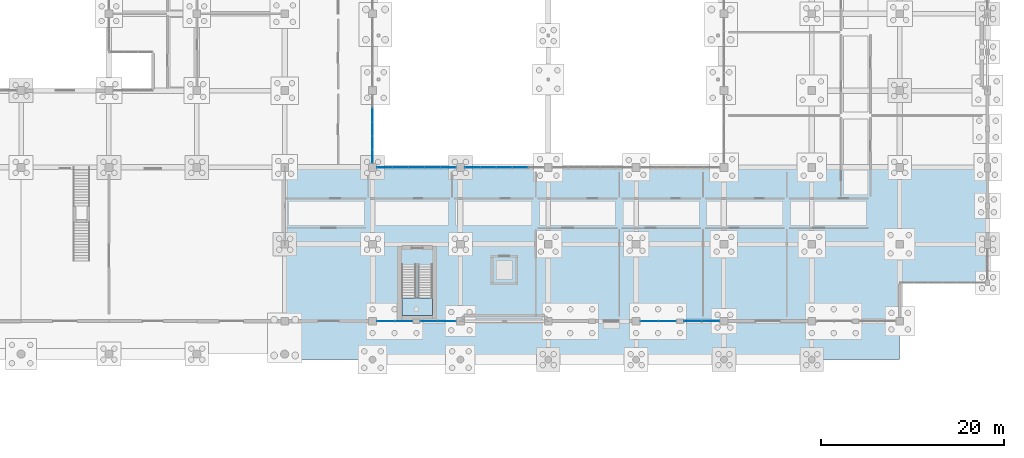
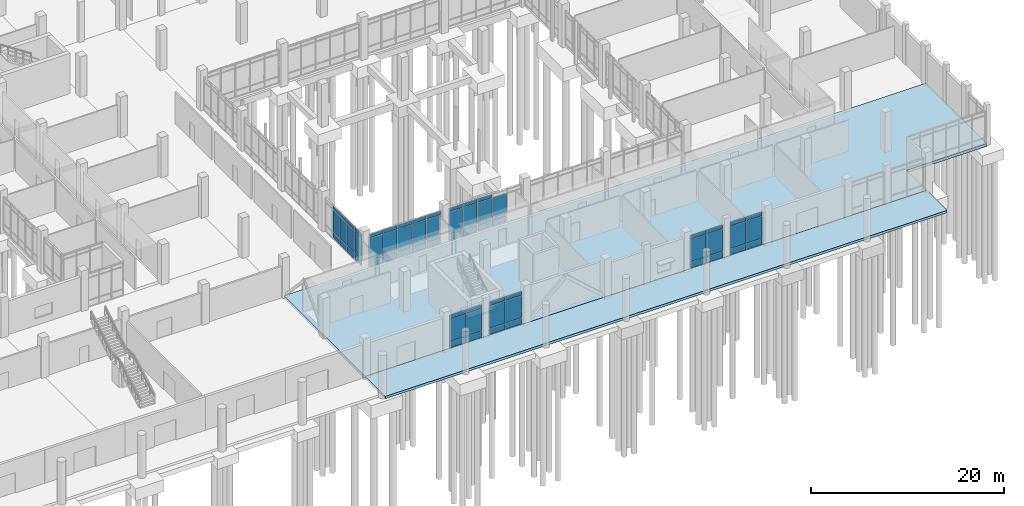
# One storey, part 82 of 136: 62 plates, 3 slabs, 8 elements without a shape of their own.
"""IFC4 building model written with IfcOpenShell, lengths in metres."""

from ifc_helpers import new_model, si_unit, direction, frame, origin, origin_2d, place, context, subcontext, project, spatial, polyline, rectangle, outline, extrude, material, layer, layer_set, type_object, element, aggregate, save


model = new_model("IFC4")

# Units and contexts
model_context = context("Model", 3, precision=1e-05, world=origin(), true_north=direction((0.0, 1.0)))
body_context = subcontext(model_context, "Body", "Model", "MODEL_VIEW")
ifc_project = project(units=[si_unit("LENGTHUNIT", "METRE"), si_unit("AREAUNIT", "SQUARE_METRE"), si_unit("VOLUMEUNIT", "CUBIC_METRE"), si_unit("PLANEANGLEUNIT", "RADIAN"), si_unit("MASSUNIT", "GRAM", prefix="KILO")], contexts=[model_context])

# Site, building, storey
site_placement = place(None, origin())
site = spatial("IfcSite", under=ifc_project, at=site_placement, CompositionType="ELEMENT")
building_placement = place(site_placement, origin())
building = spatial("IfcBuilding", under=site, at=building_placement, Name="Oolite Switchyard Hospital", CompositionType="ELEMENT")
storey_placement = place(building_placement, origin())
storey = spatial("IfcBuildingStorey", under=building, at=storey_placement, Name="L00", CompositionType="ELEMENT", Elevation=0.0)

# Curtain wall, plates
ifc_material_1 = material(Name="Thermally broken aluminum frame with laminated impact glazing", Category="aluminium")
curtain_wall_type_1 = type_object("IfcCurtainWallType", Name="CW-UNIT-96X51", PredefinedType="USERDEFINED", material=ifc_material_1)
curtain_wall_1_placement = place(storey_placement, origin())
curtain_wall_1 = element("IfcCurtainWall", 1, at=curtain_wall_1_placement, inside=storey, type_object=curtain_wall_type_1, Name="L00 Unitised Curtain Wall 11", ObjectType="UNITISED", PredefinedType="USERDEFINED")
ifc_material_2 = material(Name="Insulated fluoropolymer-coated aluminum spandrel panel", Category="aluminium")
ifc_layer_1 = layer(ifc_material_2, 0.054931640625)
ifc_layer_set_1 = layer_set([ifc_layer_1], Name="CW-PNL-SPN55")
plate_type_1 = type_object("IfcPlateType", Name="CW-PNL-SPN55", PredefinedType="CURTAIN_PANEL", material=ifc_layer_set_1)
plate_1_placement = place(storey_placement, frame((154.9306640625, 25.199951171875, 0.0751953125), z_axis=(0.0, 0.0, 1.0), x_axis=(1.0, 0.0, 0.0)))
plate_1 = element("IfcPlate", 2, at=plate_1_placement, type_object=plate_type_1, Name="CW-01 panel 1.1", PredefinedType="CURTAIN_PANEL", context=body_context, shape_type="SweptSolid", body=[
    extrude(rectangle(XDim=1.631591796875, YDim=0.054931640625, at=origin_2d()), origin(), (0.0, 0.0, 1.0), 0.737548828125),
])
plate_2_placement = place(storey_placement, frame((154.9306640625, 25.199951171875, 0.8876953125), z_axis=(0.0, 0.0, 1.0), x_axis=(1.0, 0.0, 0.0)))
plate_2 = element("IfcPlate", 3, at=plate_2_placement, type_object=plate_type_1, Name="CW-01 panel 1.2", PredefinedType="CURTAIN_PANEL", context=body_context, shape_type="SweptSolid", body=[
    extrude(rectangle(XDim=1.631591796875, YDim=0.054931640625, at=origin_2d()), origin(), (0.0, 0.0, 1.0), 2.764892578125),
])
plate_3_placement = place(storey_placement, frame((154.9306640625, 25.199951171875, 3.7275390625), z_axis=(0.0, 0.0, 1.0), x_axis=(1.0, 0.0, 0.0)))
plate_3 = element("IfcPlate", 4, at=plate_3_placement, type_object=plate_type_1, Name="CW-01 panel 1.3", PredefinedType="CURTAIN_PANEL", context=body_context, shape_type="SweptSolid", body=[
    extrude(rectangle(XDim=1.631591796875, YDim=0.054931640625, at=origin_2d()), origin(), (0.0, 0.0, 1.0), 0.4375),
])
plate_4_placement = place(storey_placement, frame((156.656005859375, 25.199951171875, 0.0751953125), z_axis=(0.0, 0.0, 1.0), x_axis=(1.0, 0.0, 0.0)))
plate_4 = element("IfcPlate", 5, at=plate_4_placement, type_object=plate_type_1, Name="CW-01 panel 2.1", PredefinedType="CURTAIN_PANEL", context=body_context, shape_type="SweptSolid", body=[
    extrude(rectangle(XDim=1.6689453125, YDim=0.054931640625, at=origin_2d()), origin(), (0.0, 0.0, 1.0), 0.737548828125),
])
plate_5_placement = place(storey_placement, frame((156.656005859375, 25.199951171875, 0.8876953125), z_axis=(0.0, 0.0, 1.0), x_axis=(1.0, 0.0, 0.0)))
plate_5 = element("IfcPlate", 6, at=plate_5_placement, type_object=plate_type_1, Name="CW-01 panel 2.2", PredefinedType="CURTAIN_PANEL", context=body_context, shape_type="SweptSolid", body=[
    extrude(rectangle(XDim=1.6689453125, YDim=0.054931640625, at=origin_2d()), origin(), (0.0, 0.0, 1.0), 2.764892578125),
])
plate_6_placement = place(storey_placement, frame((156.656005859375, 25.199951171875, 3.7275390625), z_axis=(0.0, 0.0, 1.0), x_axis=(1.0, 0.0, 0.0)))
plate_6 = element("IfcPlate", 7, at=plate_6_placement, type_object=plate_type_1, Name="CW-01 panel 2.3", PredefinedType="CURTAIN_PANEL", context=body_context, shape_type="SweptSolid", body=[
    extrude(rectangle(XDim=1.6689453125, YDim=0.054931640625, at=origin_2d()), origin(), (0.0, 0.0, 1.0), 0.4375),
])
plate_7_placement = place(storey_placement, frame((158.39990234375, 25.199951171875, 0.0751953125), z_axis=(0.0, 0.0, 1.0), x_axis=(1.0, 0.0, 0.0)))
plate_7 = element("IfcPlate", 8, at=plate_7_placement, type_object=plate_type_1, Name="CW-01 panel 3.1", PredefinedType="CURTAIN_PANEL", context=body_context, shape_type="SweptSolid", body=[
    extrude(rectangle(XDim=1.6689453125, YDim=0.054931640625, at=origin_2d()), origin(), (0.0, 0.0, 1.0), 0.737548828125),
])
plate_8_placement = place(storey_placement, frame((158.39990234375, 25.199951171875, 0.8876953125), z_axis=(0.0, 0.0, 1.0), x_axis=(1.0, 0.0, 0.0)))
plate_8 = element("IfcPlate", 9, at=plate_8_placement, type_object=plate_type_1, Name="CW-01 panel 3.2", PredefinedType="CURTAIN_PANEL", context=body_context, shape_type="SweptSolid", body=[
    extrude(rectangle(XDim=1.6689453125, YDim=0.054931640625, at=origin_2d()), origin(), (0.0, 0.0, 1.0), 2.764892578125),
])
plate_9_placement = place(storey_placement, frame((158.39990234375, 25.199951171875, 3.7275390625), z_axis=(0.0, 0.0, 1.0), x_axis=(1.0, 0.0, 0.0)))
plate_9 = element("IfcPlate", 10, at=plate_9_placement, type_object=plate_type_1, Name="CW-01 panel 3.3", PredefinedType="CURTAIN_PANEL", context=body_context, shape_type="SweptSolid", body=[
    extrude(rectangle(XDim=1.6689453125, YDim=0.054931640625, at=origin_2d()), origin(), (0.0, 0.0, 1.0), 0.4375),
])
plate_10_placement = place(storey_placement, frame((160.14404296875, 25.199951171875, 0.0751953125), z_axis=(0.0, 0.0, 1.0), x_axis=(1.0, 0.0, 0.0)))
plate_10 = element("IfcPlate", 11, at=plate_10_placement, type_object=plate_type_1, Name="CW-01 panel 4.1", PredefinedType="CURTAIN_PANEL", context=body_context, shape_type="SweptSolid", body=[
    extrude(rectangle(XDim=1.6689453125, YDim=0.054931640625, at=origin_2d()), origin(), (0.0, 0.0, 1.0), 0.737548828125),
])
plate_11_placement = place(storey_placement, frame((160.14404296875, 25.199951171875, 0.8876953125), z_axis=(0.0, 0.0, 1.0), x_axis=(1.0, 0.0, 0.0)))
plate_11 = element("IfcPlate", 12, at=plate_11_placement, type_object=plate_type_1, Name="CW-01 panel 4.2", PredefinedType="CURTAIN_PANEL", context=body_context, shape_type="SweptSolid", body=[
    extrude(rectangle(XDim=1.6689453125, YDim=0.054931640625, at=origin_2d()), origin(), (0.0, 0.0, 1.0), 2.764892578125),
])
aggregate(curtain_wall_1, [plate_1, plate_2, plate_3, plate_4, plate_5, plate_6, plate_7, plate_8, plate_9, plate_10, plate_11])

curtain_wall_type_2 = type_object("IfcCurtainWallType", Name="CW-UNIT-84X51", PredefinedType="USERDEFINED", material=ifc_material_1)
curtain_wall_2_placement = place(storey_placement, origin())
curtain_wall_2 = element("IfcCurtainWall", 13, at=curtain_wall_2_placement, inside=storey, type_object=curtain_wall_type_2, Name="L00 Unitised Curtain Wall 5", ObjectType="UNITISED", PredefinedType="USERDEFINED")
ifc_layer_2 = layer(ifc_material_2, 0.070068359375)
ifc_layer_set_2 = layer_set([ifc_layer_2], Name="CW-PNL-SPN70")
plate_type_2 = type_object("IfcPlateType", Name="CW-PNL-SPN70", PredefinedType="CURTAIN_PANEL", material=ifc_layer_set_2)
plate_12_placement = place(storey_placement, frame((180.94873046875, 8.39990234375, 0.0751953125), z_axis=(0.0, 0.0, 1.0), x_axis=(-1.0, 0.0, 0.0)))
plate_12 = element("IfcPlate", 14, at=plate_12_placement, type_object=plate_type_2, Name="CW-06 panel 1.1", PredefinedType="CURTAIN_PANEL", context=body_context, shape_type="SweptSolid", body=[
    extrude(rectangle(XDim=1.87255859375, YDim=0.070068359375, at=origin_2d()), origin(), (0.0, 0.0, 1.0), 0.737548828125),
])
plate_13_placement = place(storey_placement, frame((180.94873046875, 8.39990234375, 0.8876953125), z_axis=(0.0, 0.0, 1.0), x_axis=(-1.0, 0.0, 0.0)))
plate_13 = element("IfcPlate", 15, at=plate_13_placement, type_object=plate_type_2, Name="CW-06 panel 1.2", PredefinedType="CURTAIN_PANEL", context=body_context, shape_type="SweptSolid", body=[
    extrude(rectangle(XDim=1.87255859375, YDim=0.070068359375, at=origin_2d()), origin(), (0.0, 0.0, 1.0), 2.764892578125),
])
plate_14_placement = place(storey_placement, frame((180.94873046875, 8.39990234375, 3.7275390625), z_axis=(0.0, 0.0, 1.0), x_axis=(-1.0, 0.0, 0.0)))
plate_14 = element("IfcPlate", 16, at=plate_14_placement, type_object=plate_type_2, Name="CW-06 panel 1.3", PredefinedType="CURTAIN_PANEL", context=body_context, shape_type="SweptSolid", body=[
    extrude(rectangle(XDim=1.87255859375, YDim=0.070068359375, at=origin_2d()), origin(), (0.0, 0.0, 1.0), 0.4375),
])
plate_15_placement = place(storey_placement, frame((179.001220703125, 8.39990234375, 0.0751953125), z_axis=(0.0, 0.0, 1.0), x_axis=(-1.0, 0.0, 0.0)))
plate_15 = element("IfcPlate", 17, at=plate_15_placement, type_object=plate_type_2, Name="CW-06 panel 2.1", PredefinedType="CURTAIN_PANEL", context=body_context, shape_type="SweptSolid", body=[
    extrude(rectangle(XDim=1.87255859375, YDim=0.070068359375, at=origin_2d()), origin(), (0.0, 0.0, 1.0), 0.737548828125),
])
plate_16_placement = place(storey_placement, frame((179.001220703125, 8.39990234375, 0.8876953125), z_axis=(0.0, 0.0, 1.0), x_axis=(-1.0, 0.0, 0.0)))
plate_16 = element("IfcPlate", 18, at=plate_16_placement, type_object=plate_type_2, Name="CW-06 panel 2.2", PredefinedType="CURTAIN_PANEL", context=body_context, shape_type="SweptSolid", body=[
    extrude(rectangle(XDim=1.87255859375, YDim=0.070068359375, at=origin_2d()), origin(), (0.0, 0.0, 1.0), 2.764892578125),
])
plate_17_placement = place(storey_placement, frame((179.001220703125, 8.39990234375, 3.7275390625), z_axis=(0.0, 0.0, 1.0), x_axis=(-1.0, 0.0, 0.0)))
plate_17 = element("IfcPlate", 19, at=plate_17_placement, type_object=plate_type_2, Name="CW-06 panel 2.3", PredefinedType="CURTAIN_PANEL", context=body_context, shape_type="SweptSolid", body=[
    extrude(rectangle(XDim=1.87255859375, YDim=0.070068359375, at=origin_2d()), origin(), (0.0, 0.0, 1.0), 0.4375),
])
aggregate(curtain_wall_2, [plate_12, plate_13, plate_14, plate_15, plate_16, plate_17])

curtain_wall_3_placement = place(storey_placement, origin())
curtain_wall_3 = element("IfcCurtainWall", 20, at=curtain_wall_3_placement, inside=storey, type_object=curtain_wall_type_2, Name="L00 Unitised Curtain Wall 3", ObjectType="UNITISED", PredefinedType="USERDEFINED")
ifc_material_3 = material(Name="Laminated hurricane-impact insulated glazing unit", Category="glass")
ifc_layer_3 = layer(ifc_material_3, 0.028076171875)
ifc_layer_set_3 = layer_set([ifc_layer_3], Name="CW-PNL-VIS28")
plate_type_3 = type_object("IfcPlateType", Name="CW-PNL-VIS28", PredefinedType="CURTAIN_PANEL", material=ifc_layer_set_3)
plate_18_placement = place(storey_placement, frame((152.152587890625, 8.39990234375, 0.0751953125), z_axis=(0.0, 0.0, 1.0), x_axis=(-1.0, 0.0, 0.0)))
plate_18 = element("IfcPlate", 21, at=plate_18_placement, type_object=plate_type_3, Name="CW-06 panel 1.1", PredefinedType="CURTAIN_PANEL", context=body_context, shape_type="SweptSolid", body=[
    extrude(rectangle(XDim=1.89501953125, YDim=0.028076171875, at=origin_2d()), origin(), (0.0, 0.0, 1.0), 0.737548828125),
])
plate_19_placement = place(storey_placement, frame((152.152587890625, 8.39990234375, 0.8876953125), z_axis=(0.0, 0.0, 1.0), x_axis=(-1.0, 0.0, 0.0)))
plate_19 = element("IfcPlate", 22, at=plate_19_placement, type_object=plate_type_3, Name="CW-06 panel 1.2", PredefinedType="CURTAIN_PANEL", context=body_context, shape_type="SweptSolid", body=[
    extrude(rectangle(XDim=1.89501953125, YDim=0.028076171875, at=origin_2d()), origin(), (0.0, 0.0, 1.0), 2.764892578125),
])
plate_20_placement = place(storey_placement, frame((152.152587890625, 8.39990234375, 3.7275390625), z_axis=(0.0, 0.0, 1.0), x_axis=(-1.0, 0.0, 0.0)))
plate_20 = element("IfcPlate", 23, at=plate_20_placement, type_object=plate_type_3, Name="CW-06 panel 1.3", PredefinedType="CURTAIN_PANEL", context=body_context, shape_type="SweptSolid", body=[
    extrude(rectangle(XDim=1.89501953125, YDim=0.028076171875, at=origin_2d()), origin(), (0.0, 0.0, 1.0), 0.4375),
])
plate_21_placement = place(storey_placement, frame((150.197509765625, 8.39990234375, 0.0751953125), z_axis=(0.0, 0.0, 1.0), x_axis=(-1.0, 0.0, 0.0)))
plate_21 = element("IfcPlate", 24, at=plate_21_placement, type_object=plate_type_3, Name="CW-06 panel 2.1", PredefinedType="CURTAIN_PANEL", context=body_context, shape_type="SweptSolid", body=[
    extrude(rectangle(XDim=1.89501953125, YDim=0.028076171875, at=origin_2d()), origin(), (0.0, 0.0, 1.0), 0.737548828125),
])
plate_22_placement = place(storey_placement, frame((150.197509765625, 8.39990234375, 0.8876953125), z_axis=(0.0, 0.0, 1.0), x_axis=(-1.0, 0.0, 0.0)))
plate_22 = element("IfcPlate", 25, at=plate_22_placement, type_object=plate_type_3, Name="CW-06 panel 2.2", PredefinedType="CURTAIN_PANEL", context=body_context, shape_type="SweptSolid", body=[
    extrude(rectangle(XDim=1.89501953125, YDim=0.028076171875, at=origin_2d()), origin(), (0.0, 0.0, 1.0), 2.764892578125),
])
plate_23_placement = place(storey_placement, frame((150.197509765625, 8.39990234375, 3.7275390625), z_axis=(0.0, 0.0, 1.0), x_axis=(-1.0, 0.0, 0.0)))
plate_23 = element("IfcPlate", 26, at=plate_23_placement, type_object=plate_type_3, Name="CW-06 panel 2.3", PredefinedType="CURTAIN_PANEL", context=body_context, shape_type="SweptSolid", body=[
    extrude(rectangle(XDim=1.89501953125, YDim=0.028076171875, at=origin_2d()), origin(), (0.0, 0.0, 1.0), 0.4375),
])
aggregate(curtain_wall_3, [plate_18, plate_19, plate_20, plate_21, plate_22, plate_23])

curtain_wall_4_placement = place(storey_placement, origin())
curtain_wall_4 = element("IfcCurtainWall", 27, at=curtain_wall_4_placement, inside=storey, type_object=curtain_wall_type_2, Name="L00 Unitised Curtain Wall 6", ObjectType="UNITISED", PredefinedType="USERDEFINED")
plate_24_placement = place(storey_placement, frame((176.202392578125, 8.39990234375, 0.06005859375), z_axis=(0.0, 0.0, 1.0), x_axis=(-1.0, 0.0, 0.0)))
plate_24 = element("IfcPlate", 28, at=plate_24_placement, type_object=plate_type_3, Name="CW-06 panel 1.1", PredefinedType="CURTAIN_PANEL", context=body_context, shape_type="SweptSolid", body=[
    extrude(rectangle(XDim=1.89501953125, YDim=0.028076171875, at=origin_2d()), origin(), (0.0, 0.0, 1.0), 0.760009765625),
])
plate_25_placement = place(storey_placement, frame((176.202392578125, 8.39990234375, 0.8798828125), z_axis=(0.0, 0.0, 1.0), x_axis=(-1.0, 0.0, 0.0)))
plate_25 = element("IfcPlate", 29, at=plate_25_placement, type_object=plate_type_3, Name="CW-06 panel 1.2", PredefinedType="CURTAIN_PANEL", context=body_context, shape_type="SweptSolid", body=[
    extrude(rectangle(XDim=1.89501953125, YDim=0.028076171875, at=origin_2d()), origin(), (0.0, 0.0, 1.0), 2.780029296875),
])
plate_26_placement = place(storey_placement, frame((176.202392578125, 8.39990234375, 3.719970703125), z_axis=(0.0, 0.0, 1.0), x_axis=(-1.0, 0.0, 0.0)))
plate_26 = element("IfcPlate", 30, at=plate_26_placement, type_object=plate_type_3, Name="CW-06 panel 1.3", PredefinedType="CURTAIN_PANEL", context=body_context, shape_type="SweptSolid", body=[
    extrude(rectangle(XDim=1.89501953125, YDim=0.028076171875, at=origin_2d()), origin(), (0.0, 0.0, 1.0), 0.4599609375),
])
plate_27_placement = place(storey_placement, frame((174.24755859375, 8.39990234375, 0.06005859375), z_axis=(0.0, 0.0, 1.0), x_axis=(-1.0, 0.0, 0.0)))
plate_27 = element("IfcPlate", 31, at=plate_27_placement, type_object=plate_type_3, Name="CW-06 panel 2.1", PredefinedType="CURTAIN_PANEL", context=body_context, shape_type="SweptSolid", body=[
    extrude(rectangle(XDim=1.89501953125, YDim=0.028076171875, at=origin_2d()), origin(), (0.0, 0.0, 1.0), 0.760009765625),
])
plate_28_placement = place(storey_placement, frame((174.24755859375, 8.39990234375, 0.8798828125), z_axis=(0.0, 0.0, 1.0), x_axis=(-1.0, 0.0, 0.0)))
plate_28 = element("IfcPlate", 32, at=plate_28_placement, type_object=plate_type_3, Name="CW-06 panel 2.2", PredefinedType="CURTAIN_PANEL", context=body_context, shape_type="SweptSolid", body=[
    extrude(rectangle(XDim=1.89501953125, YDim=0.028076171875, at=origin_2d()), origin(), (0.0, 0.0, 1.0), 2.780029296875),
])
plate_29_placement = place(storey_placement, frame((174.24755859375, 8.39990234375, 3.719970703125), z_axis=(0.0, 0.0, 1.0), x_axis=(-1.0, 0.0, 0.0)))
plate_29 = element("IfcPlate", 33, at=plate_29_placement, type_object=plate_type_3, Name="CW-06 panel 2.3", PredefinedType="CURTAIN_PANEL", context=body_context, shape_type="SweptSolid", body=[
    extrude(rectangle(XDim=1.89501953125, YDim=0.028076171875, at=origin_2d()), origin(), (0.0, 0.0, 1.0), 0.4599609375),
])
aggregate(curtain_wall_4, [plate_24, plate_25, plate_26, plate_27, plate_28, plate_29])

curtain_wall_5_placement = place(storey_placement, origin())
curtain_wall_5 = element("IfcCurtainWall", 34, at=curtain_wall_5_placement, inside=storey, type_object=curtain_wall_type_2, Name="L00 Unitised Curtain Wall 75", ObjectType="UNITISED", PredefinedType="USERDEFINED")
plate_30_placement = place(storey_placement, frame((144.0, 30.904052734375, 0.0751953125), z_axis=(0.0, 0.0, 1.0), x_axis=(0.0, -1.0, 0.0)))
plate_30 = element("IfcPlate", 35, at=plate_30_placement, type_object=plate_type_3, Name="CW-06 panel 2.1", PredefinedType="CURTAIN_PANEL", context=body_context, shape_type="SweptSolid", body=[
    extrude(rectangle(XDim=1.444091796875, YDim=0.028076171875, at=origin_2d()), origin(), (0.0, 0.0, 1.0), 0.737548828125),
])
plate_31_placement = place(storey_placement, frame((144.0, 30.904052734375, 0.8876953125), z_axis=(0.0, 0.0, 1.0), x_axis=(0.0, -1.0, 0.0)))
plate_31 = element("IfcPlate", 36, at=plate_31_placement, type_object=plate_type_3, Name="CW-06 panel 2.2", PredefinedType="CURTAIN_PANEL", context=body_context, shape_type="SweptSolid", body=[
    extrude(rectangle(XDim=1.444091796875, YDim=0.028076171875, at=origin_2d()), origin(), (0.0, 0.0, 1.0), 2.764892578125),
])
plate_32_placement = place(storey_placement, frame((144.0, 30.904052734375, 3.7275390625), z_axis=(0.0, 0.0, 1.0), x_axis=(0.0, -1.0, 0.0)))
plate_32 = element("IfcPlate", 37, at=plate_32_placement, type_object=plate_type_3, Name="CW-06 panel 2.3", PredefinedType="CURTAIN_PANEL", context=body_context, shape_type="SweptSolid", body=[
    extrude(rectangle(XDim=1.444091796875, YDim=0.028076171875, at=origin_2d()), origin(), (0.0, 0.0, 1.0), 0.4375),
])
plate_33_placement = place(storey_placement, frame((144.0, 29.39990234375, 0.0751953125), z_axis=(0.0, 0.0, 1.0), x_axis=(0.0, -1.0, 0.0)))
plate_33 = element("IfcPlate", 38, at=plate_33_placement, type_object=plate_type_3, Name="CW-06 panel 3.1", PredefinedType="CURTAIN_PANEL", context=body_context, shape_type="SweptSolid", body=[
    extrude(rectangle(XDim=1.444091796875, YDim=0.028076171875, at=origin_2d()), origin(), (0.0, 0.0, 1.0), 0.737548828125),
])
plate_34_placement = place(storey_placement, frame((144.0, 29.39990234375, 0.8876953125), z_axis=(0.0, 0.0, 1.0), x_axis=(0.0, -1.0, 0.0)))
plate_34 = element("IfcPlate", 39, at=plate_34_placement, type_object=plate_type_3, Name="CW-06 panel 3.2", PredefinedType="CURTAIN_PANEL", context=body_context, shape_type="SweptSolid", body=[
    extrude(rectangle(XDim=1.444091796875, YDim=0.028076171875, at=origin_2d()), origin(), (0.0, 0.0, 1.0), 2.764892578125),
])
plate_35_placement = place(storey_placement, frame((144.0, 29.39990234375, 3.7275390625), z_axis=(0.0, 0.0, 1.0), x_axis=(0.0, -1.0, 0.0)))
plate_35 = element("IfcPlate", 40, at=plate_35_placement, type_object=plate_type_3, Name="CW-06 panel 3.3", PredefinedType="CURTAIN_PANEL", context=body_context, shape_type="SweptSolid", body=[
    extrude(rectangle(XDim=1.444091796875, YDim=0.028076171875, at=origin_2d()), origin(), (0.0, 0.0, 1.0), 0.4375),
])
plate_36_placement = place(storey_placement, frame((144.0, 27.89599609375, 0.0751953125), z_axis=(0.0, 0.0, 1.0), x_axis=(0.0, -1.0, 0.0)))
plate_36 = element("IfcPlate", 41, at=plate_36_placement, type_object=plate_type_3, Name="CW-06 panel 4.1", PredefinedType="CURTAIN_PANEL", context=body_context, shape_type="SweptSolid", body=[
    extrude(rectangle(XDim=1.444091796875, YDim=0.028076171875, at=origin_2d()), origin(), (0.0, 0.0, 1.0), 0.737548828125),
])
plate_37_placement = place(storey_placement, frame((144.0, 27.89599609375, 0.8876953125), z_axis=(0.0, 0.0, 1.0), x_axis=(0.0, -1.0, 0.0)))
plate_37 = element("IfcPlate", 42, at=plate_37_placement, type_object=plate_type_3, Name="CW-06 panel 4.2", PredefinedType="CURTAIN_PANEL", context=body_context, shape_type="SweptSolid", body=[
    extrude(rectangle(XDim=1.444091796875, YDim=0.028076171875, at=origin_2d()), origin(), (0.0, 0.0, 1.0), 2.764892578125),
])
plate_38_placement = place(storey_placement, frame((144.0, 27.89599609375, 3.7275390625), z_axis=(0.0, 0.0, 1.0), x_axis=(0.0, -1.0, 0.0)))
plate_38 = element("IfcPlate", 43, at=plate_38_placement, type_object=plate_type_3, Name="CW-06 panel 4.3", PredefinedType="CURTAIN_PANEL", context=body_context, shape_type="SweptSolid", body=[
    extrude(rectangle(XDim=1.444091796875, YDim=0.028076171875, at=origin_2d()), origin(), (0.0, 0.0, 1.0), 0.4375),
])
plate_39_placement = place(storey_placement, frame((144.0, 26.406982421875, 0.0751953125), z_axis=(0.0, 0.0, 1.0), x_axis=(0.0, -1.0, 0.0)))
plate_39 = element("IfcPlate", 44, at=plate_39_placement, type_object=plate_type_3, Name="CW-06 panel 5.1", PredefinedType="CURTAIN_PANEL", context=body_context, shape_type="SweptSolid", body=[
    extrude(rectangle(XDim=1.4140625, YDim=0.028076171875, at=origin_2d()), origin(), (0.0, 0.0, 1.0), 0.737548828125),
])
plate_40_placement = place(storey_placement, frame((144.0, 26.406982421875, 0.8876953125), z_axis=(0.0, 0.0, 1.0), x_axis=(0.0, -1.0, 0.0)))
plate_40 = element("IfcPlate", 45, at=plate_40_placement, type_object=plate_type_3, Name="CW-06 panel 5.2", PredefinedType="CURTAIN_PANEL", context=body_context, shape_type="SweptSolid", body=[
    extrude(rectangle(XDim=1.4140625, YDim=0.028076171875, at=origin_2d()), origin(), (0.0, 0.0, 1.0), 2.764892578125),
])
plate_41_placement = place(storey_placement, frame((144.0, 26.406982421875, 3.7275390625), z_axis=(0.0, 0.0, 1.0), x_axis=(0.0, -1.0, 0.0)))
plate_41 = element("IfcPlate", 46, at=plate_41_placement, type_object=plate_type_3, Name="CW-06 panel 5.3", PredefinedType="CURTAIN_PANEL", context=body_context, shape_type="SweptSolid", body=[
    extrude(rectangle(XDim=1.4140625, YDim=0.028076171875, at=origin_2d()), origin(), (0.0, 0.0, 1.0), 0.4375),
])
aggregate(curtain_wall_5, [plate_30, plate_31, plate_32, plate_33, plate_34, plate_35, plate_36, plate_37, plate_38, plate_39, plate_40, plate_41])

curtain_wall_6_placement = place(storey_placement, origin())
curtain_wall_6 = element("IfcCurtainWall", 47, at=curtain_wall_6_placement, inside=storey, type_object=curtain_wall_type_2, Name="L00 Unitised Curtain Wall 4", ObjectType="UNITISED", PredefinedType="USERDEFINED")
ifc_layer_4 = layer(ifc_material_3, 0.031982421875)
ifc_layer_set_4 = layer_set([ifc_layer_4], Name="CW-PNL-VIS32")
plate_type_4 = type_object("IfcPlateType", Name="CW-PNL-VIS32", PredefinedType="CURTAIN_PANEL", material=ifc_layer_set_4)
plate_42_placement = place(storey_placement, frame((147.39990234375, 8.39990234375, 0.06005859375), z_axis=(0.0, 0.0, 1.0), x_axis=(-1.0, 0.0, 0.0)))
plate_42 = element("IfcPlate", 48, at=plate_42_placement, type_object=plate_type_4, Name="CW-06 panel 1.1", PredefinedType="CURTAIN_PANEL", context=body_context, shape_type="SweptSolid", body=[
    extrude(rectangle(XDim=1.8798828125, YDim=0.031982421875, at=origin_2d()), origin(), (0.0, 0.0, 1.0), 0.760009765625),
])
plate_43_placement = place(storey_placement, frame((147.39990234375, 8.39990234375, 0.8798828125), z_axis=(0.0, 0.0, 1.0), x_axis=(-1.0, 0.0, 0.0)))
plate_43 = element("IfcPlate", 49, at=plate_43_placement, type_object=plate_type_4, Name="CW-06 panel 1.2", PredefinedType="CURTAIN_PANEL", context=body_context, shape_type="SweptSolid", body=[
    extrude(rectangle(XDim=1.8798828125, YDim=0.031982421875, at=origin_2d()), origin(), (0.0, 0.0, 1.0), 2.780029296875),
])
plate_44_placement = place(storey_placement, frame((147.39990234375, 8.39990234375, 3.719970703125), z_axis=(0.0, 0.0, 1.0), x_axis=(-1.0, 0.0, 0.0)))
plate_44 = element("IfcPlate", 50, at=plate_44_placement, type_object=plate_type_4, Name="CW-06 panel 1.3", PredefinedType="CURTAIN_PANEL", context=body_context, shape_type="SweptSolid", body=[
    extrude(rectangle(XDim=1.8798828125, YDim=0.031982421875, at=origin_2d()), origin(), (0.0, 0.0, 1.0), 0.4599609375),
])
plate_45_placement = place(storey_placement, frame((145.449951171875, 8.39990234375, 0.06005859375), z_axis=(0.0, 0.0, 1.0), x_axis=(-1.0, 0.0, 0.0)))
plate_45 = element("IfcPlate", 51, at=plate_45_placement, type_object=plate_type_4, Name="CW-06 panel 2.1", PredefinedType="CURTAIN_PANEL", context=body_context, shape_type="SweptSolid", body=[
    extrude(rectangle(XDim=1.8798828125, YDim=0.031982421875, at=origin_2d()), origin(), (0.0, 0.0, 1.0), 0.760009765625),
])
plate_46_placement = place(storey_placement, frame((145.449951171875, 8.39990234375, 0.8798828125), z_axis=(0.0, 0.0, 1.0), x_axis=(-1.0, 0.0, 0.0)))
plate_46 = element("IfcPlate", 52, at=plate_46_placement, type_object=plate_type_4, Name="CW-06 panel 2.2", PredefinedType="CURTAIN_PANEL", context=body_context, shape_type="SweptSolid", body=[
    extrude(rectangle(XDim=1.8798828125, YDim=0.031982421875, at=origin_2d()), origin(), (0.0, 0.0, 1.0), 2.780029296875),
])
plate_47_placement = place(storey_placement, frame((145.449951171875, 8.39990234375, 3.719970703125), z_axis=(0.0, 0.0, 1.0), x_axis=(-1.0, 0.0, 0.0)))
plate_47 = element("IfcPlate", 53, at=plate_47_placement, type_object=plate_type_4, Name="CW-06 panel 2.3", PredefinedType="CURTAIN_PANEL", context=body_context, shape_type="SweptSolid", body=[
    extrude(rectangle(XDim=1.8798828125, YDim=0.031982421875, at=origin_2d()), origin(), (0.0, 0.0, 1.0), 0.4599609375),
])
aggregate(curtain_wall_6, [plate_42, plate_43, plate_44, plate_45, plate_46, plate_47])

curtain_wall_7_placement = place(storey_placement, origin())
curtain_wall_7 = element("IfcCurtainWall", 54, at=curtain_wall_7_placement, inside=storey, type_object=curtain_wall_type_1, Name="L00 Unitised Curtain Wall 10", ObjectType="UNITISED", PredefinedType="USERDEFINED")
ifc_layer_5 = layer(ifc_material_3, 0.035888671875)
ifc_layer_set_5 = layer_set([ifc_layer_5], Name="CW-PNL-VIS36")
plate_type_5 = type_object("IfcPlateType", Name="CW-PNL-VIS36", PredefinedType="CURTAIN_PANEL", material=ifc_layer_set_5)
plate_48_placement = place(storey_placement, frame((145.32958984375, 25.199951171875, 0.06005859375), z_axis=(0.0, 0.0, 1.0), x_axis=(1.0, 0.0, 0.0)))
plate_48 = element("IfcPlate", 55, at=plate_48_placement, type_object=plate_type_5, Name="CW-01 panel 1.1", PredefinedType="CURTAIN_PANEL", context=body_context, shape_type="SweptSolid", body=[
    extrude(rectangle(XDim=1.638916015625, YDim=0.035888671875, at=origin_2d()), origin(), (0.0, 0.0, 1.0), 0.760009765625),
])
plate_49_placement = place(storey_placement, frame((145.32958984375, 25.199951171875, 0.8798828125), z_axis=(0.0, 0.0, 1.0), x_axis=(1.0, 0.0, 0.0)))
plate_49 = element("IfcPlate", 56, at=plate_49_placement, type_object=plate_type_5, Name="CW-01 panel 1.2", PredefinedType="CURTAIN_PANEL", context=body_context, shape_type="SweptSolid", body=[
    extrude(rectangle(XDim=1.638916015625, YDim=0.035888671875, at=origin_2d()), origin(), (0.0, 0.0, 1.0), 2.780029296875),
])
plate_50_placement = place(storey_placement, frame((145.32958984375, 25.199951171875, 3.719970703125), z_axis=(0.0, 0.0, 1.0), x_axis=(1.0, 0.0, 0.0)))
plate_50 = element("IfcPlate", 57, at=plate_50_placement, type_object=plate_type_5, Name="CW-01 panel 1.3", PredefinedType="CURTAIN_PANEL", context=body_context, shape_type="SweptSolid", body=[
    extrude(rectangle(XDim=1.638916015625, YDim=0.035888671875, at=origin_2d()), origin(), (0.0, 0.0, 1.0), 0.4599609375),
])
plate_51_placement = place(storey_placement, frame((147.055908203125, 25.199951171875, 0.06005859375), z_axis=(0.0, 0.0, 1.0), x_axis=(1.0, 0.0, 0.0)))
plate_51 = element("IfcPlate", 58, at=plate_51_placement, type_object=plate_type_5, Name="CW-01 panel 2.1", PredefinedType="CURTAIN_PANEL", context=body_context, shape_type="SweptSolid", body=[
    extrude(rectangle(XDim=1.674072265625, YDim=0.035888671875, at=origin_2d()), origin(), (0.0, 0.0, 1.0), 0.760009765625),
])
plate_52_placement = place(storey_placement, frame((147.055908203125, 25.199951171875, 0.8798828125), z_axis=(0.0, 0.0, 1.0), x_axis=(1.0, 0.0, 0.0)))
plate_52 = element("IfcPlate", 59, at=plate_52_placement, type_object=plate_type_5, Name="CW-01 panel 2.2", PredefinedType="CURTAIN_PANEL", context=body_context, shape_type="SweptSolid", body=[
    extrude(rectangle(XDim=1.674072265625, YDim=0.035888671875, at=origin_2d()), origin(), (0.0, 0.0, 1.0), 2.780029296875),
])
plate_53_placement = place(storey_placement, frame((147.055908203125, 25.199951171875, 3.719970703125), z_axis=(0.0, 0.0, 1.0), x_axis=(1.0, 0.0, 0.0)))
plate_53 = element("IfcPlate", 60, at=plate_53_placement, type_object=plate_type_5, Name="CW-01 panel 2.3", PredefinedType="CURTAIN_PANEL", context=body_context, shape_type="SweptSolid", body=[
    extrude(rectangle(XDim=1.674072265625, YDim=0.035888671875, at=origin_2d()), origin(), (0.0, 0.0, 1.0), 0.4599609375),
])
plate_54_placement = place(storey_placement, frame((148.800048828125, 25.199951171875, 0.06005859375), z_axis=(0.0, 0.0, 1.0), x_axis=(1.0, 0.0, 0.0)))
plate_54 = element("IfcPlate", 61, at=plate_54_placement, type_object=plate_type_5, Name="CW-01 panel 3.1", PredefinedType="CURTAIN_PANEL", context=body_context, shape_type="SweptSolid", body=[
    extrude(rectangle(XDim=1.674072265625, YDim=0.035888671875, at=origin_2d()), origin(), (0.0, 0.0, 1.0), 0.760009765625),
])
plate_55_placement = place(storey_placement, frame((148.800048828125, 25.199951171875, 0.8798828125), z_axis=(0.0, 0.0, 1.0), x_axis=(1.0, 0.0, 0.0)))
plate_55 = element("IfcPlate", 62, at=plate_55_placement, type_object=plate_type_5, Name="CW-01 panel 3.2", PredefinedType="CURTAIN_PANEL", context=body_context, shape_type="SweptSolid", body=[
    extrude(rectangle(XDim=1.674072265625, YDim=0.035888671875, at=origin_2d()), origin(), (0.0, 0.0, 1.0), 2.780029296875),
])
plate_56_placement = place(storey_placement, frame((148.800048828125, 25.199951171875, 3.719970703125), z_axis=(0.0, 0.0, 1.0), x_axis=(1.0, 0.0, 0.0)))
plate_56 = element("IfcPlate", 63, at=plate_56_placement, type_object=plate_type_5, Name="CW-01 panel 3.3", PredefinedType="CURTAIN_PANEL", context=body_context, shape_type="SweptSolid", body=[
    extrude(rectangle(XDim=1.674072265625, YDim=0.035888671875, at=origin_2d()), origin(), (0.0, 0.0, 1.0), 0.4599609375),
])
plate_57_placement = place(storey_placement, frame((150.5439453125, 25.199951171875, 0.06005859375), z_axis=(0.0, 0.0, 1.0), x_axis=(1.0, 0.0, 0.0)))
plate_57 = element("IfcPlate", 64, at=plate_57_placement, type_object=plate_type_5, Name="CW-01 panel 4.1", PredefinedType="CURTAIN_PANEL", context=body_context, shape_type="SweptSolid", body=[
    extrude(rectangle(XDim=1.674072265625, YDim=0.035888671875, at=origin_2d()), origin(), (0.0, 0.0, 1.0), 0.760009765625),
])
plate_58_placement = place(storey_placement, frame((150.5439453125, 25.199951171875, 0.8798828125), z_axis=(0.0, 0.0, 1.0), x_axis=(1.0, 0.0, 0.0)))
plate_58 = element("IfcPlate", 65, at=plate_58_placement, type_object=plate_type_5, Name="CW-01 panel 4.2", PredefinedType="CURTAIN_PANEL", context=body_context, shape_type="SweptSolid", body=[
    extrude(rectangle(XDim=1.674072265625, YDim=0.035888671875, at=origin_2d()), origin(), (0.0, 0.0, 1.0), 2.780029296875),
])
plate_59_placement = place(storey_placement, frame((150.5439453125, 25.199951171875, 3.719970703125), z_axis=(0.0, 0.0, 1.0), x_axis=(1.0, 0.0, 0.0)))
plate_59 = element("IfcPlate", 66, at=plate_59_placement, type_object=plate_type_5, Name="CW-01 panel 4.3", PredefinedType="CURTAIN_PANEL", context=body_context, shape_type="SweptSolid", body=[
    extrude(rectangle(XDim=1.674072265625, YDim=0.035888671875, at=origin_2d()), origin(), (0.0, 0.0, 1.0), 0.4599609375),
])
plate_60_placement = place(storey_placement, frame((152.2705078125, 25.199951171875, 0.06005859375), z_axis=(0.0, 0.0, 1.0), x_axis=(1.0, 0.0, 0.0)))
plate_60 = element("IfcPlate", 67, at=plate_60_placement, type_object=plate_type_5, Name="CW-01 panel 5.1", PredefinedType="CURTAIN_PANEL", context=body_context, shape_type="SweptSolid", body=[
    extrude(rectangle(XDim=1.638916015625, YDim=0.035888671875, at=origin_2d()), origin(), (0.0, 0.0, 1.0), 0.760009765625),
])
plate_61_placement = place(storey_placement, frame((152.2705078125, 25.199951171875, 0.8798828125), z_axis=(0.0, 0.0, 1.0), x_axis=(1.0, 0.0, 0.0)))
plate_61 = element("IfcPlate", 68, at=plate_61_placement, type_object=plate_type_5, Name="CW-01 panel 5.2", PredefinedType="CURTAIN_PANEL", context=body_context, shape_type="SweptSolid", body=[
    extrude(rectangle(XDim=1.638916015625, YDim=0.035888671875, at=origin_2d()), origin(), (0.0, 0.0, 1.0), 2.780029296875),
])
plate_62_placement = place(storey_placement, frame((152.2705078125, 25.199951171875, 3.719970703125), z_axis=(0.0, 0.0, 1.0), x_axis=(1.0, 0.0, 0.0)))
plate_62 = element("IfcPlate", 69, at=plate_62_placement, type_object=plate_type_5, Name="CW-01 panel 5.3", PredefinedType="CURTAIN_PANEL", context=body_context, shape_type="SweptSolid", body=[
    extrude(rectangle(XDim=1.638916015625, YDim=0.035888671875, at=origin_2d()), origin(), (0.0, 0.0, 1.0), 0.4599609375),
])
aggregate(curtain_wall_7, [plate_48, plate_49, plate_50, plate_51, plate_52, plate_53, plate_54, plate_55, plate_56, plate_57, plate_58, plate_59, plate_60, plate_61, plate_62])

# Slabs
ifc_material_4 = material(Name="Concrete C40/50", Category="concrete")
ifc_layer_6 = layer(ifc_material_4, 0.35009765625)
ifc_layer_set_6 = layer_set([ifc_layer_6], Name="SLB-BASE-350")
slab_type_1 = type_object("IfcSlabType", Name="SLB-BASE-350", PredefinedType="BASESLAB", material=ifc_layer_set_6)
slab_1_placement = place(storey_placement, frame((0.0, 0.0, -0.35009765625)))
element("IfcSlab", 70, at=slab_1_placement, inside=storey, type_object=slab_type_1, Name="L00 V6 Slab V6S", PredefinedType="BASESLAB", context=body_context, shape_type="SweptSolid", body=[
    extrude(outline(polyline([(134.39990234375, 8.39990234375), (201.60009765625, 8.39990234375), (201.60009765625, 12.60009765625), (211.199951171875, 12.60009765625), (211.199951171875, 25.199951171875), (134.39990234375, 25.199951171875), (134.39990234375, 8.39990234375)])), origin(), (0.0, 0.0, 1.0), 0.35009765625),
])
ifc_layer_7 = layer(ifc_material_4, 0.300048828125)
ifc_layer_set_7 = layer_set([ifc_layer_7], Name="SLB-BASE-EXT-300")
slab_type_2 = type_object("IfcSlabType", Name="SLB-BASE-EXT-300", PredefinedType="BASESLAB", material=ifc_layer_set_7)
slab_2_placement = place(storey_placement, frame((0.0, 0.0, -0.300048828125)))
element("IfcSlab", 71, at=slab_2_placement, inside=storey, type_object=slab_type_2, Name="L00 V6 Slab V6A", PredefinedType="BASESLAB", context=body_context, shape_type="SweptSolid", body=[
    extrude(outline(polyline([(134.39990234375, 4.199951171875), (201.60009765625, 4.199951171875), (201.60009765625, 8.39990234375), (134.39990234375, 8.39990234375), (134.39990234375, 4.199951171875)])), origin(), (0.0, 0.0, 1.0), 0.300048828125),
])

# Stair, slab
stair_type = type_object("IfcStairType", Name="STR-DL-156-R28", PredefinedType="HALF_TURN_STAIR", material=ifc_material_4)
stair_placement = place(storey_placement, origin())
stair = element("IfcStair", 72, at=stair_placement, inside=storey, type_object=stair_type, Name="L00 Exit Stair ST-05", PredefinedType="HALF_TURN_STAIR")
ifc_layer_8 = layer(ifc_material_4, 0.199951171875)
ifc_layer_set_8 = layer_set([ifc_layer_8], Name="SLB-LND-200")
slab_type_3 = type_object("IfcSlabType", Name="SLB-LND-200", PredefinedType="LANDING", material=ifc_layer_set_8)
slab_3_placement = place(storey_placement, frame((0.0, 0.0, 2.35009765625)))
slab_3 = element("IfcSlab", 73, at=slab_3_placement, type_object=slab_type_3, Name="ST-05 landing 1", PredefinedType="LANDING", context=body_context, shape_type="SweptSolid", body=[
    extrude(outline(polyline([(147.199951171875, 10.949951171875), (147.199951171875, 9.0), (150.56005859375, 9.0), (150.56005859375, 10.949951171875), (147.199951171875, 10.949951171875)])), origin(), (0.0, 0.0, 1.0), 0.199951171875),
])
aggregate(stair, [slab_3])

save(model, "model.ifc")
